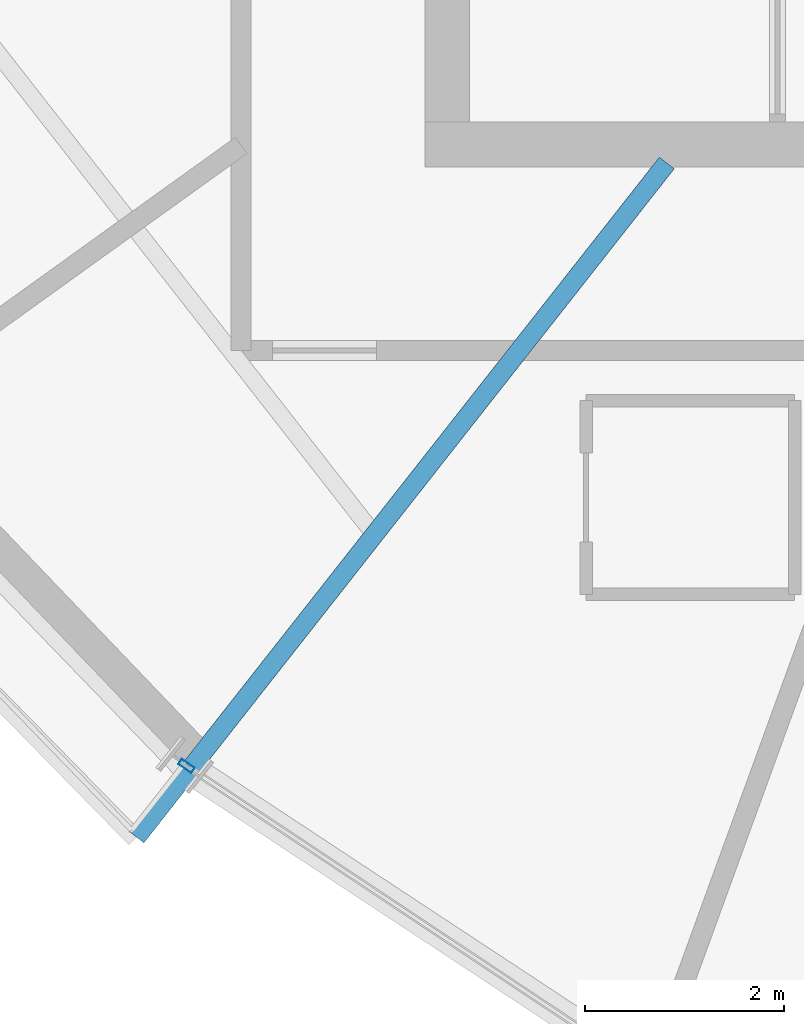
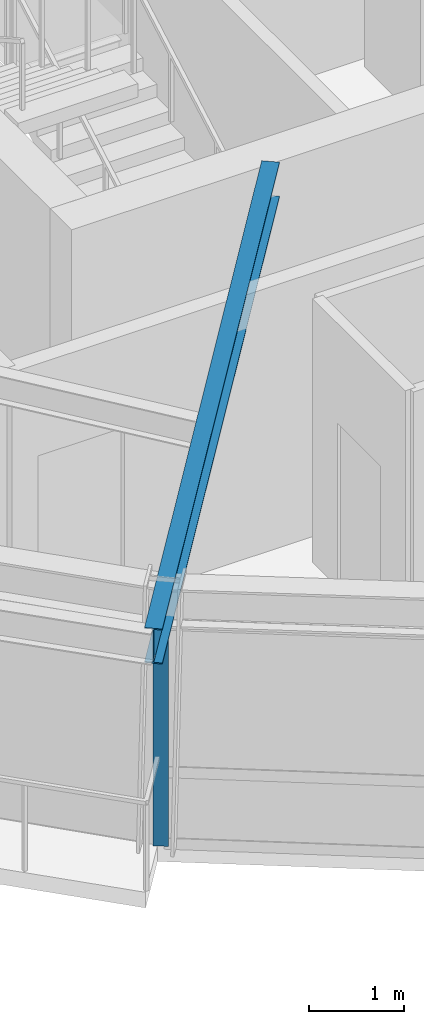
# One storey, part 2 of 15: 1 beam, 1 member, 1 element without a shape of its own.
"""IFC4 building model written with IfcOpenShell, lengths in metres."""

from ifc_helpers import new_model, si_unit, direction, frame, origin, origin_2d, place, context, subcontext, project, spatial, hollow_rectangle, i_section, extrude, source, transform, mapped, material, material_profile, profile_set, type_object, element, aggregate, save


model = new_model("IFC4")

# Units and contexts
model_context = context("Model", 3, precision=1e-05, world=origin(), true_north=direction((0.0, 1.0)))
body_context = subcontext(model_context, "Body", "Model", "MODEL_VIEW")
ifc_project = project(units=[si_unit("LENGTHUNIT", "METRE"), si_unit("AREAUNIT", "SQUARE_METRE"), si_unit("VOLUMEUNIT", "CUBIC_METRE"), si_unit("PLANEANGLEUNIT", "RADIAN"), si_unit("MASSUNIT", "GRAM", prefix="KILO")], contexts=[model_context])

# Site, building, storey
site_placement = place(None, origin())
site = spatial("IfcSite", under=ifc_project, at=site_placement, CompositionType="ELEMENT")
building_placement = place(site_placement, origin())
building = spatial("IfcBuilding", under=site, at=building_placement, Name="Olszyna Solenne Hotel", CompositionType="ELEMENT")
storey_placement = place(building_placement, frame((0.0, 0.0, 245.300048828125)))
storey = spatial("IfcBuildingStorey", under=building, at=storey_placement, Name="L65", CompositionType="ELEMENT", Elevation=245.300048828125)

# Beam
ifc_material_1 = material(Name="Steel S355J2", Category="steel")
ifc_material_profile_1 = material_profile(ifc_material_1, i_section(OverallWidth=0.18994140625, OverallDepth=0.449951171875, WebThickness=0.009521484375, FlangeThickness=0.0146484375, at=origin_2d()), Name="IPE 450", Category="load-bearing")
ifc_profile_set_1 = profile_set([ifc_material_profile_1], Name="Steel S355J2")
beam_type = type_object("IfcBeamType", Name="BM-F4", PredefinedType="BEAM", material=ifc_profile_set_1)
shared_shape_1 = source(origin(), body_context, "Body", "SweptSolid", [
    extrude(i_section(OverallWidth=0.18994140625, OverallDepth=0.449951171875, WebThickness=0.009521484375, FlangeThickness=0.0146484375, at=origin_2d()), origin(), (0.0, 0.0, 1.0), 8.6376953125),
])
beam_placement = place(storey_placement, frame((26.74560546875, 12.301025390625, 3.155029296875), z_axis=(0.618349438678, 0.785903283926, 0.0), x_axis=(-0.785903283926, 0.618349438678, 0.0)))
element("IfcBeam", 1, at=beam_placement, inside=storey, type_object=beam_type, Name="Radial floor girder BM-F4 B-L65-1929", PredefinedType="BEAM", context=body_context, shape_type="MappedRepresentation", body=[
    mapped(shared_shape_1, transform((0.0, 0.0, 0.0), x_axis=(1.0, 0.0, 0.0), y_axis=(0.0, 1.0, 0.0), z_axis=(0.0, 0.0, 1.0), scale=1.0)),
])

# Curtain wall, member
ifc_material_2 = material(Name="Anodised bronze aluminium", Category="aluminium")
curtain_wall_type = type_object("IfcCurtainWallType", Name="CW-SYS-4", PredefinedType="NOTDEFINED", material=ifc_material_2)
curtain_wall_placement = place(storey_placement, origin())
curtain_wall = element("IfcCurtainWall", 2, at=curtain_wall_placement, inside=storey, type_object=curtain_wall_type, Name="Unitised curtain wall CW-SYS-4 CW-L65-01", PredefinedType="NOTDEFINED")
ifc_material_profile_2 = material_profile(ifc_material_2, hollow_rectangle(XDim=0.06494140625, YDim=0.159912109375, WallThickness=0.00390625, at=origin_2d()), Name="MULL 160x65x4", Category="load-bearing")
ifc_profile_set_2 = profile_set([ifc_material_profile_2], Name="Anodised bronze aluminium")
member_type = type_object("IfcMemberType", Name="CW-M3", PredefinedType="MULLION", material=ifc_profile_set_2)
shared_shape_2 = source(origin(), body_context, "Body", "SweptSolid", [
    extrude(hollow_rectangle(XDim=0.06494140625, YDim=0.159912109375, WallThickness=0.00390625, at=origin_2d()), origin(), (0.0, 0.0, 1.0), 2.8720703125),
])
member_placement = place(storey_placement, frame((27.249755859375, 13.015625, 0.0), z_axis=(0.0, 0.0, 1.0), x_axis=(0.553694785816, 0.832719691229, 0.0)))
member = element("IfcMember", 3, at=member_placement, type_object=member_type, Name="Curtain-wall mullion CW-M3 CM-L65-01-01", PredefinedType="MULLION", context=body_context, shape_type="MappedRepresentation", body=[
    mapped(shared_shape_2, transform((0.0, 0.0, 0.0), x_axis=(1.0, 0.0, 0.0), y_axis=(0.0, 1.0, 0.0), z_axis=(0.0, 0.0, 1.0), scale=1.0)),
])
aggregate(curtain_wall, [member])

save(model, "model.ifc")
